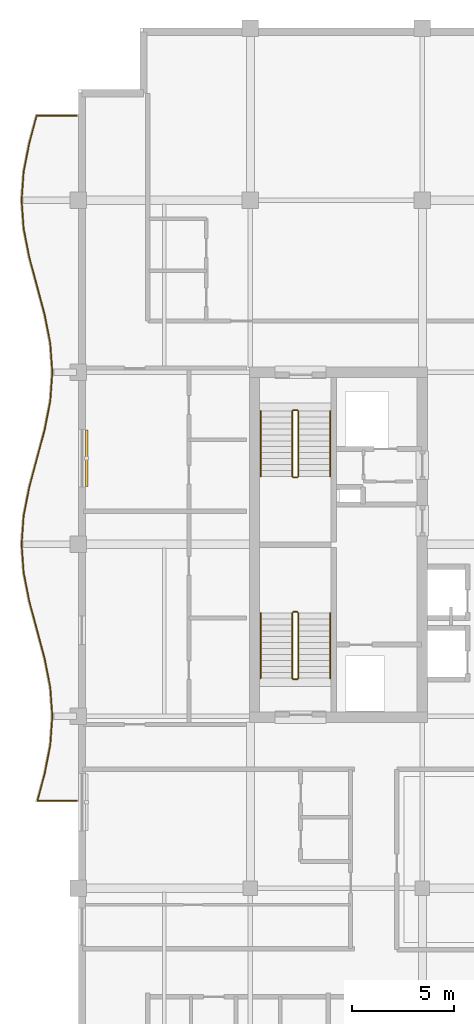
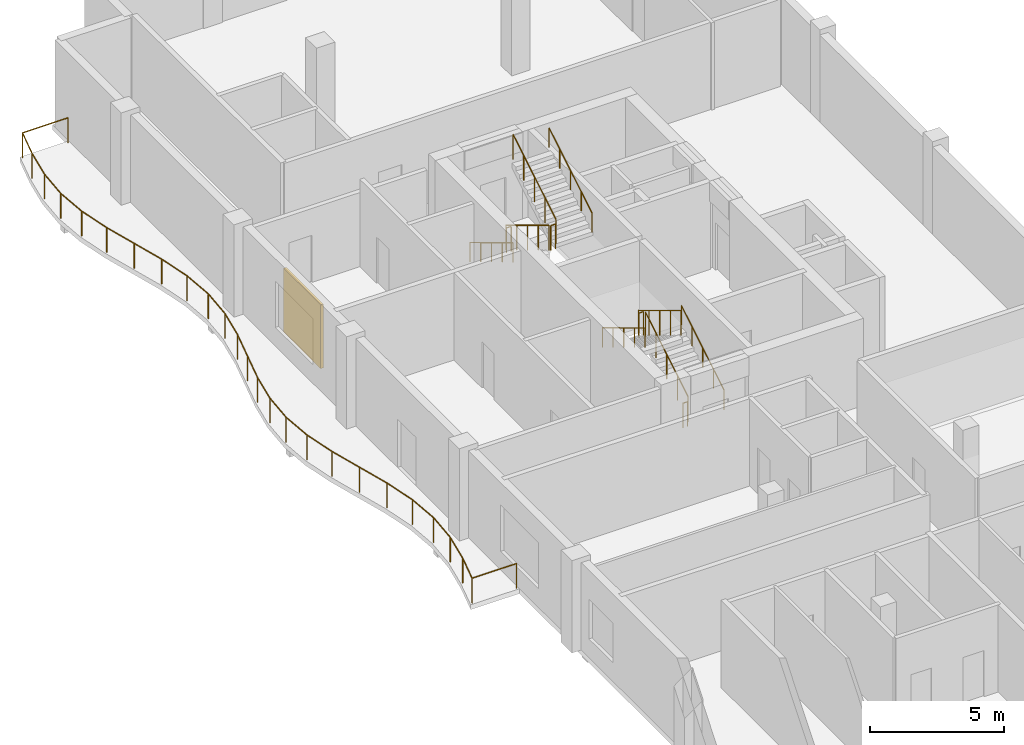
# One storey, part 15 of 16: 13 railings, 1 shading device.
"""IFC4 building model written with IfcOpenShell, lengths in metres."""

from ifc_helpers import new_model, si_unit, direction, frame, origin, origin_2d, place, context, subcontext, project, spatial, rectangle, circle, extrude, material, layer, layer_set, type_object, element, save


model = new_model("IFC4")

# Units and contexts
model_context = context("Model", 3, precision=1e-05, world=origin(), true_north=direction((0.0, 1.0)))
body_context = subcontext(model_context, "Body", "Model", "MODEL_VIEW")
ifc_project = project(units=[si_unit("LENGTHUNIT", "METRE"), si_unit("AREAUNIT", "SQUARE_METRE"), si_unit("VOLUMEUNIT", "CUBIC_METRE"), si_unit("PLANEANGLEUNIT", "RADIAN"), si_unit("MASSUNIT", "GRAM", prefix="KILO")], contexts=[model_context])

# Site, building, storey
site_placement = place(None, origin())
site = spatial("IfcSite", under=ifc_project, at=site_placement, CompositionType="ELEMENT")
building_placement = place(site_placement, origin())
building = spatial("IfcBuilding", under=site, at=building_placement, Name="Koriwani Terraces Tower", CompositionType="ELEMENT")
storey_placement = place(building_placement, frame((0.0, 0.0, 355.39990234375)))
storey = spatial("IfcBuildingStorey", under=building, at=storey_placement, Name="L88", CompositionType="ELEMENT", Elevation=355.39990234375)

# Railings
ifc_material_1 = material(Name="Steel ASTM A572 Grade 50", Category="steel")
railing_type_1 = type_object("IfcRailingType", Name="GUARD_BALUSTRADE_1150", PredefinedType="BALUSTRADE", material=ifc_material_1)
railing_1_placement = place(storey_placement, frame((8.320068359375, 37.8798828125, 0.0)))
element("IfcRailing", 1, at=railing_1_placement, inside=storey, type_object=railing_type_1, Name="L88 Balcony Perimeter Safety Balustrade (W)", PredefinedType="BALUSTRADE", context=body_context, shape_type="SweptSolid", body=[
    extrude(circle(Radius=0.02392578125, at=origin_2d()), frame((0.0, 0.0, 1.1259765625), z_axis=(-1.0, 0.0, 0.0), x_axis=(0.0, -1.0, 0.0)), (0.0, 0.0, 1.0), 1.915771484375),
    extrude(circle(Radius=0.02392578125, at=origin_2d()), frame((-1.915771484375, 0.0, 1.1259765625), z_axis=(0.258654599752, 0.965969874285, 0.0), x_axis=(-0.965969874285, 0.258654599752, 0.0)), (0.0, 0.0, 1.0), 1.347900390625),
    extrude(circle(Radius=0.02392578125, at=origin_2d()), frame((-1.567138671875, 1.302001953125, 1.1259765625), z_axis=(0.192186246762, 0.981358469957, 0.0), x_axis=(-0.981358469957, 0.192186246762, 0.0)), (0.0, 0.0, 1.0), 1.434326171875),
    extrude(circle(Radius=0.02392578125, at=origin_2d()), frame((-1.29150390625, 2.70947265625, 1.1259765625), z_axis=(0.071639614309, 0.997430581876, 0.0), x_axis=(-0.997430581876, 0.071639614309, 0.0)), (0.0, 0.0, 1.0), 1.414306640625),
    extrude(circle(Radius=0.02392578125, at=origin_2d()), frame((-1.190185546875, 4.1201171875, 1.1259765625), z_axis=(-0.071639614309, 0.997430581876, 0.0), x_axis=(-0.997430581876, -0.071639614309, 0.0)), (0.0, 0.0, 1.0), 1.414306640625),
    extrude(circle(Radius=0.02392578125, at=origin_2d()), frame((-1.29150390625, 5.53076171875, 1.1259765625), z_axis=(-0.192186246762, 0.981358469957, 0.0), x_axis=(-0.981358469957, -0.192186246762, 0.0)), (0.0, 0.0, 1.0), 1.434326171875),
    extrude(circle(Radius=0.02392578125, at=origin_2d()), frame((-1.567138671875, 6.938232421875, 1.1259765625), z_axis=(-0.258731875344, 0.96594917914, 0.0), x_axis=(-0.96594917914, -0.258731875344, 0.0)), (0.0, 0.0, 1.0), 2.898681640625),
    extrude(circle(Radius=0.02392578125, at=origin_2d()), frame((-2.317138671875, 9.73828125, 1.1259765625), z_axis=(-0.19237547223, 0.981321393675, 0.0), x_axis=(-0.981321393675, -0.19237547223, 0.0)), (0.0, 0.0, 1.0), 1.4189453125),
    extrude(circle(Radius=0.02392578125, at=origin_2d()), frame((-2.590087890625, 11.130615234375, 1.1259765625), z_axis=(-0.07168297904, 0.997427466293, 0.0), x_axis=(-0.997427466293, -0.07168297904, 0.0)), (0.0, 0.0, 1.0), 1.39306640625),
    extrude(circle(Radius=0.02392578125, at=origin_2d()), frame((-2.68994140625, 12.52001953125, 1.1259765625), z_axis=(0.07168297904, 0.997427466293, 0.0), x_axis=(-0.997427466293, 0.07168297904, 0.0)), (0.0, 0.0, 1.0), 1.39306640625),
    extrude(circle(Radius=0.02392578125, at=origin_2d()), frame((-2.590087890625, 13.909423828125, 1.1259765625), z_axis=(0.192342993657, 0.981327760125, 0.0), x_axis=(-0.981327760125, 0.192342993657, 0.0)), (0.0, 0.0, 1.0), 1.419189453125),
    extrude(circle(Radius=0.02392578125, at=origin_2d()), frame((-2.317138671875, 15.302001953125, 1.1259765625), z_axis=(0.258731875344, 0.96594917914, 0.0), x_axis=(-0.96594917914, 0.258731875344, 0.0)), (0.0, 0.0, 1.0), 2.898681640625),
    extrude(circle(Radius=0.02392578125, at=origin_2d()), frame((-1.567138671875, 18.10205078125, 1.1259765625), z_axis=(0.192186246762, 0.981358469957, 0.0), x_axis=(-0.981358469957, 0.192186246762, 0.0)), (0.0, 0.0, 1.0), 1.434326171875),
    extrude(circle(Radius=0.02392578125, at=origin_2d()), frame((-1.29150390625, 19.509521484375, 1.1259765625), z_axis=(0.071639614309, 0.997430581876, 0.0), x_axis=(-0.997430581876, 0.071639614309, 0.0)), (0.0, 0.0, 1.0), 1.414306640625),
    extrude(circle(Radius=0.02392578125, at=origin_2d()), frame((-1.190185546875, 20.920166015625, 1.1259765625), z_axis=(-0.071639614309, 0.997430581876, 0.0), x_axis=(-0.997430581876, -0.071639614309, 0.0)), (0.0, 0.0, 1.0), 1.414306640625),
    extrude(circle(Radius=0.02392578125, at=origin_2d()), frame((-1.29150390625, 22.330810546875, 1.1259765625), z_axis=(-0.192218357442, 0.981352180954, 0.0), x_axis=(-0.981352180954, -0.192218357442, 0.0)), (0.0, 0.0, 1.0), 1.43408203125),
    extrude(circle(Radius=0.02392578125, at=origin_2d()), frame((-1.567138671875, 23.738037109375, 1.1259765625), z_axis=(-0.258710827923, 0.965954816498, 0.0), x_axis=(-0.965954816498, -0.258710827923, 0.0)), (0.0, 0.0, 1.0), 2.89892578125),
    extrude(circle(Radius=0.02392578125, at=origin_2d()), frame((-2.317138671875, 26.538330078125, 1.1259765625), z_axis=(-0.19237547223, 0.981321393675, 0.0), x_axis=(-0.981321393675, -0.19237547223, 0.0)), (0.0, 0.0, 1.0), 1.4189453125),
    extrude(circle(Radius=0.02392578125, at=origin_2d()), frame((-2.590087890625, 27.9306640625, 1.1259765625), z_axis=(-0.07168297904, 0.997427466293, 0.0), x_axis=(-0.997427466293, -0.07168297904, 0.0)), (0.0, 0.0, 1.0), 1.39306640625),
    extrude(circle(Radius=0.02392578125, at=origin_2d()), frame((-2.68994140625, 29.320068359375, 1.1259765625), z_axis=(0.07168297904, 0.997427466293, 0.0), x_axis=(-0.997427466293, 0.07168297904, 0.0)), (0.0, 0.0, 1.0), 1.39306640625),
    extrude(circle(Radius=0.02392578125, at=origin_2d()), frame((-2.590087890625, 30.70947265625, 1.1259765625), z_axis=(0.192342993657, 0.981327760125, 0.0), x_axis=(-0.981327760125, 0.192342993657, 0.0)), (0.0, 0.0, 1.0), 1.419189453125),
    extrude(circle(Radius=0.02392578125, at=origin_2d()), frame((-2.317138671875, 32.10205078125, 1.1259765625), z_axis=(0.25871553033, 0.965953557044, 0.0), x_axis=(-0.965953557044, 0.25871553033, 0.0)), (0.0, 0.0, 1.0), 1.38525390625),
    extrude(circle(Radius=0.02392578125, at=origin_2d()), frame((-1.958740234375, 33.440185546875, 1.1259765625), z_axis=(1.0, 0.0, 0.0), x_axis=(0.0, 1.0, 0.0)), (0.0, 0.0, 1.0), 1.958740234375),
    extrude(circle(Radius=0.02099609375, at=origin_2d()), origin(), (0.0, 0.0, 1.0), 1.101806640625),
    extrude(circle(Radius=0.02099609375, at=origin_2d()), frame((-1.915771484375, 0.0, 0.0)), (0.0, 0.0, 1.0), 1.101806640625),
    extrude(circle(Radius=0.02099609375, at=origin_2d()), frame((-1.567138671875, 1.302001953125, 0.0)), (0.0, 0.0, 1.0), 1.101806640625),
    extrude(circle(Radius=0.02099609375, at=origin_2d()), frame((-1.29150390625, 2.70947265625, 0.0)), (0.0, 0.0, 1.0), 1.101806640625),
    extrude(circle(Radius=0.02099609375, at=origin_2d()), frame((-1.190185546875, 4.1201171875, 0.0)), (0.0, 0.0, 1.0), 1.101806640625),
    extrude(circle(Radius=0.02099609375, at=origin_2d()), frame((-1.29150390625, 5.53076171875, 0.0)), (0.0, 0.0, 1.0), 1.101806640625),
    extrude(circle(Radius=0.02099609375, at=origin_2d()), frame((-1.567138671875, 6.938232421875, 0.0)), (0.0, 0.0, 1.0), 1.101806640625),
    extrude(circle(Radius=0.02099609375, at=origin_2d()), frame((-1.942138671875, 8.33837890625, 0.0)), (0.0, 0.0, 1.0), 1.101806640625),
    extrude(circle(Radius=0.02099609375, at=origin_2d()), frame((-2.317138671875, 9.73828125, 0.0)), (0.0, 0.0, 1.0), 1.101806640625),
    extrude(circle(Radius=0.02099609375, at=origin_2d()), frame((-2.590087890625, 11.130615234375, 0.0)), (0.0, 0.0, 1.0), 1.101806640625),
    extrude(circle(Radius=0.02099609375, at=origin_2d()), frame((-2.68994140625, 12.52001953125, 0.0)), (0.0, 0.0, 1.0), 1.101806640625),
    extrude(circle(Radius=0.02099609375, at=origin_2d()), frame((-2.590087890625, 13.909423828125, 0.0)), (0.0, 0.0, 1.0), 1.101806640625),
    extrude(circle(Radius=0.02099609375, at=origin_2d()), frame((-2.317138671875, 15.302001953125, 0.0)), (0.0, 0.0, 1.0), 1.101806640625),
    extrude(circle(Radius=0.02099609375, at=origin_2d()), frame((-1.942138671875, 16.7021484375, 0.0)), (0.0, 0.0, 1.0), 1.101806640625),
    extrude(circle(Radius=0.02099609375, at=origin_2d()), frame((-1.567138671875, 18.10205078125, 0.0)), (0.0, 0.0, 1.0), 1.101806640625),
    extrude(circle(Radius=0.02099609375, at=origin_2d()), frame((-1.29150390625, 19.509521484375, 0.0)), (0.0, 0.0, 1.0), 1.101806640625),
    extrude(circle(Radius=0.02099609375, at=origin_2d()), frame((-1.190185546875, 20.920166015625, 0.0)), (0.0, 0.0, 1.0), 1.101806640625),
    extrude(circle(Radius=0.02099609375, at=origin_2d()), frame((-1.29150390625, 22.330810546875, 0.0)), (0.0, 0.0, 1.0), 1.101806640625),
    extrude(circle(Radius=0.02099609375, at=origin_2d()), frame((-1.567138671875, 23.738037109375, 0.0)), (0.0, 0.0, 1.0), 1.101806640625),
    extrude(circle(Radius=0.02099609375, at=origin_2d()), frame((-1.942138671875, 25.13818359375, 0.0)), (0.0, 0.0, 1.0), 1.101806640625),
    extrude(circle(Radius=0.02099609375, at=origin_2d()), frame((-2.317138671875, 26.538330078125, 0.0)), (0.0, 0.0, 1.0), 1.101806640625),
    extrude(circle(Radius=0.02099609375, at=origin_2d()), frame((-2.590087890625, 27.9306640625, 0.0)), (0.0, 0.0, 1.0), 1.101806640625),
    extrude(circle(Radius=0.02099609375, at=origin_2d()), frame((-2.68994140625, 29.320068359375, 0.0)), (0.0, 0.0, 1.0), 1.101806640625),
    extrude(circle(Radius=0.02099609375, at=origin_2d()), frame((-2.590087890625, 30.70947265625, 0.0)), (0.0, 0.0, 1.0), 1.101806640625),
    extrude(circle(Radius=0.02099609375, at=origin_2d()), frame((-2.317138671875, 32.10205078125, 0.0)), (0.0, 0.0, 1.0), 1.101806640625),
    extrude(circle(Radius=0.02099609375, at=origin_2d()), frame((-1.958740234375, 33.440185546875, 0.0)), (0.0, 0.0, 1.0), 1.101806640625),
    extrude(circle(Radius=0.02099609375, at=origin_2d()), frame((0.0, 33.440185546875, 0.0)), (0.0, 0.0, 1.0), 1.101806640625),
])
railing_type_2 = type_object("IfcRailingType", Name="GUARD_STAIR_WELL_1120", PredefinedType="GUARDRAIL", material=ifc_material_1)
railing_2_placement = place(storey_placement, frame((19.14990234375, 43.85009765625, 0.175048828125)))
element("IfcRailing", 2, at=railing_2_placement, inside=storey, type_object=railing_type_2, Name="L88 ST-W1 stair guard 1", PredefinedType="GUARDRAIL", context=body_context, shape_type="SweptSolid", body=[
    extrude(circle(Radius=0.02392578125, at=origin_2d()), frame((0.0, 0.0, 1.1259765625), z_axis=(0.0, 0.856177665481, 0.516681531633), x_axis=(-1.0, 0.0, 0.0)), (0.0, 0.0, 1.0), 3.725830078125),
    extrude(circle(Radius=0.02099609375, at=origin_2d()), origin(), (0.0, 0.0, 1.0), 1.101806640625),
    extrude(circle(Radius=0.02099609375, at=origin_2d()), frame((0.0, 0.79736328125, 0.481201171875)), (0.0, 0.0, 1.0), 1.101806640625),
    extrude(circle(Radius=0.02099609375, at=origin_2d()), frame((0.0, 1.594970703125, 0.96240234375)), (0.0, 0.0, 1.0), 1.101806640625),
    extrude(circle(Radius=0.02099609375, at=origin_2d()), frame((0.0, 2.392578125, 1.44384765625)), (0.0, 0.0, 1.0), 1.101806640625),
    extrude(circle(Radius=0.02099609375, at=origin_2d()), frame((0.0, 3.18994140625, 1.925048828125)), (0.0, 0.0, 1.0), 1.101806640625),
])
railing_3_placement = place(storey_placement, frame((19.10009765625, 47.090087890625, 2.10009765625)))
element("IfcRailing", 3, at=railing_3_placement, inside=storey, type_object=railing_type_2, Name="L88 ST-W1 stair guard 2", PredefinedType="GUARDRAIL", context=body_context, shape_type="SweptSolid", body=[
    extrude(circle(Radius=0.02392578125, at=origin_2d()), frame((0.0, 0.0, 1.1259765625), z_axis=(-1.0, 0.0, 0.0), x_axis=(0.0, -1.0, 0.0)), (0.0, 0.0, 1.0), 0.2001953125),
    extrude(circle(Radius=0.02099609375, at=origin_2d()), origin(), (0.0, 0.0, 1.0), 1.101806640625),
    extrude(circle(Radius=0.02099609375, at=origin_2d()), frame((-0.2001953125, 0.0, 0.0)), (0.0, 0.0, 1.0), 1.101806640625),
])
railing_4_placement = place(storey_placement, frame((18.85009765625, 47.0400390625, 2.275146484375)))
element("IfcRailing", 4, at=railing_4_placement, inside=storey, type_object=railing_type_2, Name="L88 ST-W1 stair guard 3", PredefinedType="GUARDRAIL", context=body_context, shape_type="SweptSolid", body=[
    extrude(circle(Radius=0.02392578125, at=origin_2d()), frame((0.0, 0.0, 1.1259765625), z_axis=(0.0, -0.856177665481, 0.516681531633), x_axis=(1.0, 0.0, 0.0)), (0.0, 0.0, 1.0), 3.725830078125),
    extrude(circle(Radius=0.02099609375, at=origin_2d()), origin(), (0.0, 0.0, 1.0), 1.101806640625),
    extrude(circle(Radius=0.02099609375, at=origin_2d()), frame((0.0, -0.79736328125, 0.481201171875)), (0.0, 0.0, 1.0), 1.101806640625),
    extrude(circle(Radius=0.02099609375, at=origin_2d()), frame((0.0, -1.594970703125, 0.96240234375)), (0.0, 0.0, 1.0), 1.101806640625),
    extrude(circle(Radius=0.02099609375, at=origin_2d()), frame((0.0, -2.392578125, 1.44384765625)), (0.0, 0.0, 1.0), 1.101806640625),
    extrude(circle(Radius=0.02099609375, at=origin_2d()), frame((0.0, -3.18994140625, 1.925048828125)), (0.0, 0.0, 1.0), 1.101806640625),
])
railing_5_placement = place(storey_placement, frame((19.10009765625, 43.800048828125, 0.0)))
element("IfcRailing", 5, at=railing_5_placement, inside=storey, type_object=railing_type_2, Name="L88 ST-W1 stair guard 4", PredefinedType="GUARDRAIL", context=body_context, shape_type="SweptSolid", body=[
    extrude(circle(Radius=0.02392578125, at=origin_2d()), frame((0.0, 0.0, 1.1259765625), z_axis=(-1.0, 0.0, 0.0), x_axis=(0.0, -1.0, 0.0)), (0.0, 0.0, 1.0), 0.2001953125),
    extrude(circle(Radius=0.02099609375, at=origin_2d()), origin(), (0.0, 0.0, 1.0), 1.101806640625),
    extrude(circle(Radius=0.02099609375, at=origin_2d()), frame((-0.2001953125, 0.0, 0.0)), (0.0, 0.0, 1.0), 1.101806640625),
])
railing_6_placement = place(storey_placement, frame((18.85009765625, 56.89990234375, 0.175048828125)))
element("IfcRailing", 6, at=railing_6_placement, inside=storey, type_object=railing_type_2, Name="L88 ST-W2 stair guard 1", PredefinedType="GUARDRAIL", context=body_context, shape_type="SweptSolid", body=[
    extrude(circle(Radius=0.02392578125, at=origin_2d()), frame((0.0, 0.0, 1.1259765625), z_axis=(0.0, -0.856177665481, 0.516681531633), x_axis=(1.0, 0.0, 0.0)), (0.0, 0.0, 1.0), 3.725830078125),
    extrude(circle(Radius=0.02099609375, at=origin_2d()), origin(), (0.0, 0.0, 1.0), 1.101806640625),
    extrude(circle(Radius=0.02099609375, at=origin_2d()), frame((0.0, -0.79736328125, 0.481201171875)), (0.0, 0.0, 1.0), 1.101806640625),
    extrude(circle(Radius=0.02099609375, at=origin_2d()), frame((0.0, -1.594970703125, 0.96240234375)), (0.0, 0.0, 1.0), 1.101806640625),
    extrude(circle(Radius=0.02099609375, at=origin_2d()), frame((0.0, -2.392578125, 1.44384765625)), (0.0, 0.0, 1.0), 1.101806640625),
    extrude(circle(Radius=0.02099609375, at=origin_2d()), frame((0.0, -3.18994140625, 1.925048828125)), (0.0, 0.0, 1.0), 1.101806640625),
])
railing_7_placement = place(storey_placement, frame((18.89990234375, 53.659912109375, 2.10009765625)))
element("IfcRailing", 7, at=railing_7_placement, inside=storey, type_object=railing_type_2, Name="L88 ST-W2 stair guard 2", PredefinedType="GUARDRAIL", context=body_context, shape_type="SweptSolid", body=[
    extrude(circle(Radius=0.02392578125, at=origin_2d()), frame((0.0, 0.0, 1.1259765625), z_axis=(1.0, 0.0, 0.0), x_axis=(0.0, 1.0, 0.0)), (0.0, 0.0, 1.0), 0.2001953125),
    extrude(circle(Radius=0.02099609375, at=origin_2d()), origin(), (0.0, 0.0, 1.0), 1.101806640625),
    extrude(circle(Radius=0.02099609375, at=origin_2d()), frame((0.2001953125, 0.0, 0.0)), (0.0, 0.0, 1.0), 1.101806640625),
])
railing_8_placement = place(storey_placement, frame((19.14990234375, 53.7099609375, 2.275146484375)))
element("IfcRailing", 8, at=railing_8_placement, inside=storey, type_object=railing_type_2, Name="L88 ST-W2 stair guard 3", PredefinedType="GUARDRAIL", context=body_context, shape_type="SweptSolid", body=[
    extrude(circle(Radius=0.02392578125, at=origin_2d()), frame((0.0, 0.0, 1.1259765625), z_axis=(0.0, 0.856177665481, 0.516681531633), x_axis=(-1.0, 0.0, 0.0)), (0.0, 0.0, 1.0), 3.725830078125),
    extrude(circle(Radius=0.02099609375, at=origin_2d()), origin(), (0.0, 0.0, 1.0), 1.101806640625),
    extrude(circle(Radius=0.02099609375, at=origin_2d()), frame((0.0, 0.79736328125, 0.481201171875)), (0.0, 0.0, 1.0), 1.101806640625),
    extrude(circle(Radius=0.02099609375, at=origin_2d()), frame((0.0, 1.594970703125, 0.96240234375)), (0.0, 0.0, 1.0), 1.101806640625),
    extrude(circle(Radius=0.02099609375, at=origin_2d()), frame((0.0, 2.392578125, 1.44384765625)), (0.0, 0.0, 1.0), 1.101806640625),
    extrude(circle(Radius=0.02099609375, at=origin_2d()), frame((0.0, 3.18994140625, 1.925048828125)), (0.0, 0.0, 1.0), 1.101806640625),
])
railing_9_placement = place(storey_placement, frame((18.89990234375, 56.949951171875, 0.0)))
element("IfcRailing", 9, at=railing_9_placement, inside=storey, type_object=railing_type_2, Name="L88 ST-W2 stair guard 4", PredefinedType="GUARDRAIL", context=body_context, shape_type="SweptSolid", body=[
    extrude(circle(Radius=0.02392578125, at=origin_2d()), frame((0.0, 0.0, 1.1259765625), z_axis=(1.0, 0.0, 0.0), x_axis=(0.0, 1.0, 0.0)), (0.0, 0.0, 1.0), 0.2001953125),
    extrude(circle(Radius=0.02099609375, at=origin_2d()), origin(), (0.0, 0.0, 1.0), 1.101806640625),
    extrude(circle(Radius=0.02099609375, at=origin_2d()), frame((0.2001953125, 0.0, 0.0)), (0.0, 0.0, 1.0), 1.101806640625),
])
railing_type_3 = type_object("IfcRailingType", Name="HANDRAIL_STAIR_920", PredefinedType="HANDRAIL", material=ifc_material_1)
railing_10_placement = place(storey_placement, frame((20.699951171875, 43.85009765625, 0.175048828125)))
element("IfcRailing", 10, at=railing_10_placement, inside=storey, type_object=railing_type_3, Name="L88 ST-W1 stair handrail 1", PredefinedType="HANDRAIL", context=body_context, shape_type="SweptSolid", body=[
    extrude(circle(Radius=0.02392578125, at=origin_2d()), frame((0.0, 0.0, 0.8759765625), z_axis=(0.0, 0.856177665481, 0.516681531633), x_axis=(-1.0, 0.0, 0.0)), (0.0, 0.0, 1.0), 3.725830078125),
    extrude(circle(Radius=0.02099609375, at=origin_2d()), origin(), (0.0, 0.0, 1.0), 0.851806640625),
    extrude(circle(Radius=0.02099609375, at=origin_2d()), frame((0.0, 0.79736328125, 0.481201171875)), (0.0, 0.0, 1.0), 0.851806640625),
    extrude(circle(Radius=0.02099609375, at=origin_2d()), frame((0.0, 1.594970703125, 0.96240234375)), (0.0, 0.0, 1.0), 0.851806640625),
    extrude(circle(Radius=0.02099609375, at=origin_2d()), frame((0.0, 2.392578125, 1.44384765625)), (0.0, 0.0, 1.0), 0.851806640625),
    extrude(circle(Radius=0.02099609375, at=origin_2d()), frame((0.0, 3.18994140625, 1.925048828125)), (0.0, 0.0, 1.0), 0.851806640625),
])
for number, where, name in (
    (11, (17.300048828125, 47.0400390625, 2.275146484375), "L88 ST-W1 stair handrail 2"),
    (12, (17.300048828125, 56.89990234375, 0.175048828125), "L88 ST-W2 stair handrail 1"),
):
    element("IfcRailing", number, at=place(storey_placement, frame(where)), inside=storey, type_object=railing_type_3, Name=name, PredefinedType="HANDRAIL", context=body_context, shape_type="SweptSolid", body=[
        extrude(circle(Radius=0.02392578125, at=origin_2d()), frame((0.0, 0.0, 0.8759765625), z_axis=(0.0, -0.856177665481, 0.516681531633), x_axis=(1.0, 0.0, 0.0)), (0.0, 0.0, 1.0), 3.725830078125),
        extrude(circle(Radius=0.02099609375, at=origin_2d()), origin(), (0.0, 0.0, 1.0), 0.851806640625),
        extrude(circle(Radius=0.02099609375, at=origin_2d()), frame((0.0, -0.79736328125, 0.481201171875)), (0.0, 0.0, 1.0), 0.851806640625),
        extrude(circle(Radius=0.02099609375, at=origin_2d()), frame((0.0, -1.594970703125, 0.96240234375)), (0.0, 0.0, 1.0), 0.851806640625),
        extrude(circle(Radius=0.02099609375, at=origin_2d()), frame((0.0, -2.392578125, 1.44384765625)), (0.0, 0.0, 1.0), 0.851806640625),
        extrude(circle(Radius=0.02099609375, at=origin_2d()), frame((0.0, -3.18994140625, 1.925048828125)), (0.0, 0.0, 1.0), 0.851806640625),
    ])
railing_11_placement = place(storey_placement, frame((20.699951171875, 53.7099609375, 2.275146484375)))
element("IfcRailing", 13, at=railing_11_placement, inside=storey, type_object=railing_type_3, Name="L88 ST-W2 stair handrail 2", PredefinedType="HANDRAIL", context=body_context, shape_type="SweptSolid", body=[
    extrude(circle(Radius=0.02392578125, at=origin_2d()), frame((0.0, 0.0, 0.8759765625), z_axis=(0.0, 0.856177665481, 0.516681531633), x_axis=(-1.0, 0.0, 0.0)), (0.0, 0.0, 1.0), 3.725830078125),
    extrude(circle(Radius=0.02099609375, at=origin_2d()), origin(), (0.0, 0.0, 1.0), 0.851806640625),
    extrude(circle(Radius=0.02099609375, at=origin_2d()), frame((0.0, 0.79736328125, 0.481201171875)), (0.0, 0.0, 1.0), 0.851806640625),
    extrude(circle(Radius=0.02099609375, at=origin_2d()), frame((0.0, 1.594970703125, 0.96240234375)), (0.0, 0.0, 1.0), 0.851806640625),
    extrude(circle(Radius=0.02099609375, at=origin_2d()), frame((0.0, 2.392578125, 1.44384765625)), (0.0, 0.0, 1.0), 0.851806640625),
    extrude(circle(Radius=0.02099609375, at=origin_2d()), frame((0.0, 3.18994140625, 1.925048828125)), (0.0, 0.0, 1.0), 0.851806640625),
])

# Shading device
ifc_material_2 = material(Name="Extruded Terracotta Clay", Category="masonry")
ifc_layer = layer(ifc_material_2, 0.1201171875, Name="Extruded Terracotta Clay")
ifc_layer_set = layer_set([ifc_layer], Name="Extruded Terracotta Clay")
shading_device_type = type_object("IfcShadingDeviceType", Name="TERRACOTTA_BAGUETTE_SCREEN_2800", PredefinedType="USERDEFINED", material=ifc_layer_set)
shading_device_placement = place(storey_placement, frame((8.804931640625, 54.60009765625, 0.53515625), z_axis=(0.0, 0.0, 1.0), x_axis=(0.0, 1.0, 0.0)))
element("IfcShadingDevice", 14, at=shading_device_placement, inside=storey, type_object=shading_device_type, Name="L88 Extruded Terracotta Baguette Screen (W-15)", ObjectType="BAGUETTE", PredefinedType="USERDEFINED", context=body_context, shape_type="SweptSolid", body=[
    extrude(rectangle(XDim=2.760009765625, YDim=0.1201171875, at=origin_2d()), origin(), (0.0, 0.0, 1.0), 2.89990234375),
])

save(model, "model.ifc")
